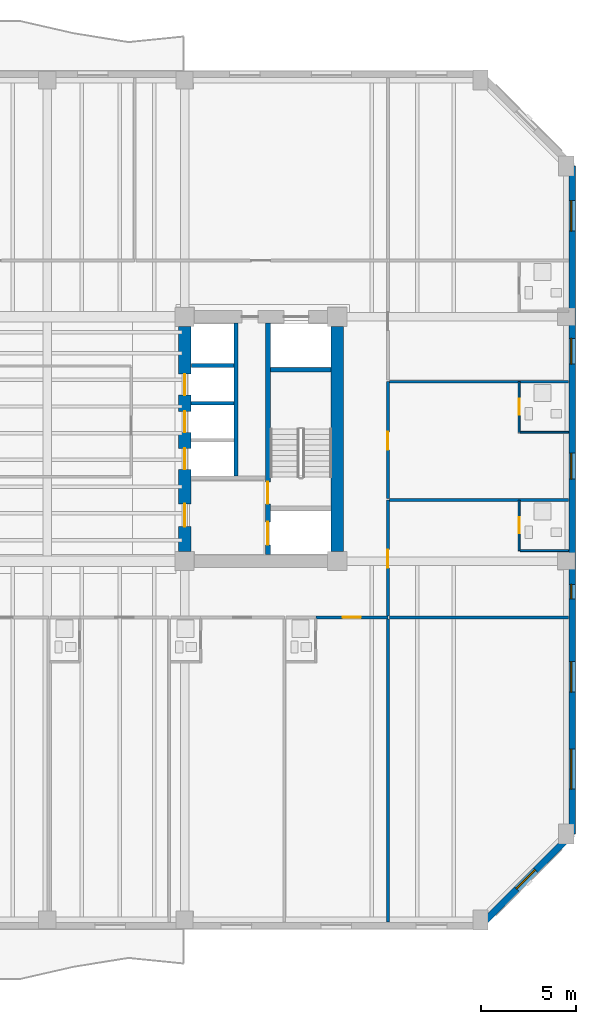
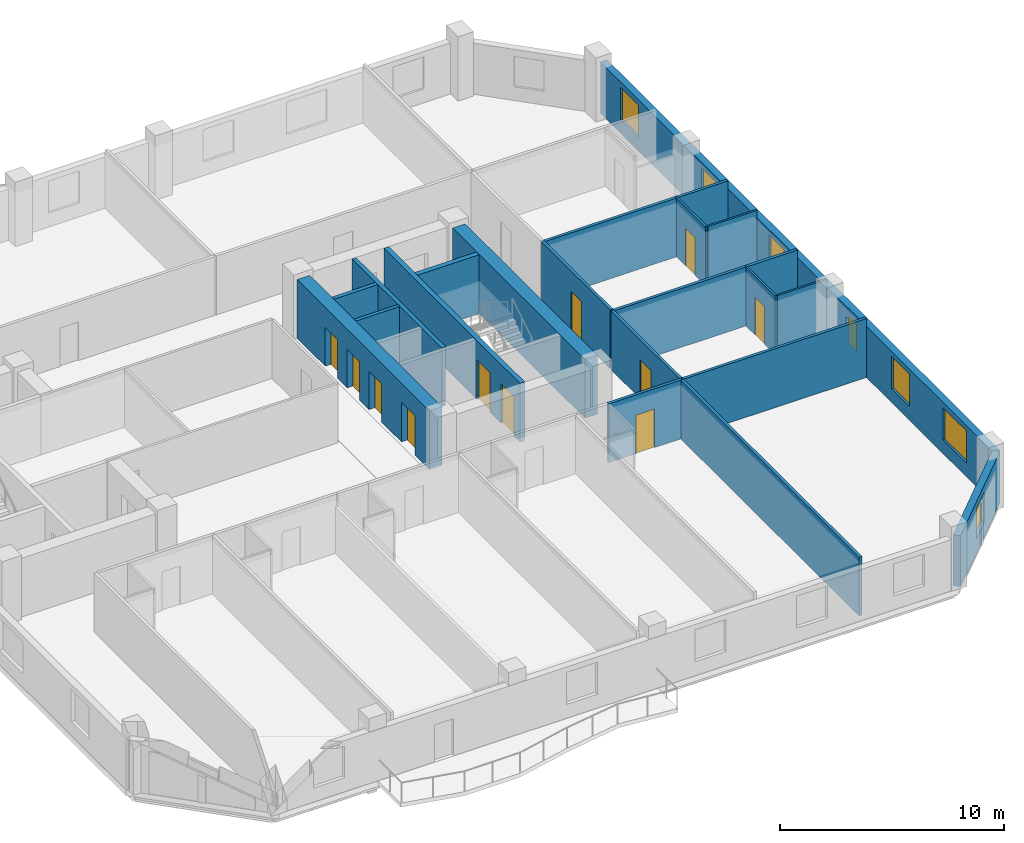
# One storey, part 4 of 10: 20 walls, 11 doors, 7 windows, 18 openings.
"""IFC4 building model written with IfcOpenShell, lengths in metres."""

from ifc_helpers import new_model, si_unit, direction, frame, frame_2d, origin, place, context, subcontext, project, spatial, rectangle, extrude, material, layer, layer_set, type_object, element, fill, save


model = new_model("IFC4")

# Units and contexts
model_context = context("Model", 3, precision=1e-05, world=origin(), true_north=direction((0.0, 1.0)))
body_context = subcontext(model_context, "Body", "Model", "MODEL_VIEW")
ifc_project = project(units=[si_unit("LENGTHUNIT", "METRE"), si_unit("AREAUNIT", "SQUARE_METRE"), si_unit("VOLUMEUNIT", "CUBIC_METRE"), si_unit("PLANEANGLEUNIT", "RADIAN"), si_unit("MASSUNIT", "GRAM", prefix="KILO")], contexts=[model_context])

# Site, building, storey
site_placement = place(None, origin())
site = spatial("IfcSite", under=ifc_project, at=site_placement, CompositionType="ELEMENT")
building_placement = place(site_placement, origin())
building = spatial("IfcBuilding", under=site, at=building_placement, Name="Kranthara Brick Stack", CompositionType="ELEMENT")
storey_placement = place(building_placement, frame((0.0, 0.0, 155.300048828125)))
storey = spatial("IfcBuildingStorey", under=building, at=storey_placement, Name="L39", CompositionType="ELEMENT", Elevation=155.300048828125)

# Wall, openings, windows
ifc_material_1 = material(Name="Kiln-fired clay brick masonry M15", Category="masonry")
ifc_layer_1 = layer(ifc_material_1, 0.35009765625)
ifc_layer_set_1 = layer_set([ifc_layer_1], Name="Kiln-fired clay brick masonry M15")
wall_type_1 = type_object("IfcWallType", Name="WL-BRK-SPND-350", PredefinedType="STANDARD", material=ifc_layer_set_1)
wall_1_placement = place(storey_placement, frame((55.5048828125, 41.5, 0.0), z_axis=(0.0, 0.0, 1.0), x_axis=(0.0, -1.0, 0.0)))
wall_1 = element("IfcWall", 1, at=wall_1_placement, inside=storey, type_object=wall_type_1, Name="L39 Exterior Brick Facade Wall EAST 1", PredefinedType="STANDARD", context=body_context, shape_type="SweptSolid", body=[
    extrude(rectangle(XDim=35.0, YDim=0.35009765625, at=frame_2d((17.5, 0.0))), origin(), (0.0, 0.0, 1.0), 2.784912109375),
])
opening_1_placement = place(wall_1_placement, frame((1.81298828125, 0.0, 0.75)))
opening_1 = element("IfcOpeningElement", 2, at=opening_1_placement, cuts=wall_1, Name="Opening WN04", PredefinedType="OPENING", context=body_context, shape_type="SweptSolid", body=[
    extrude(rectangle(XDim=1.60009765625, YDim=1.75, at=frame_2d((0.800048828125, 0.875))), frame((0.0, 0.18505859375, 0.0), z_axis=(0.0, -1.0, 0.0), x_axis=(1.0, 0.0, 0.0)), (0.0, 0.0, 1.0), 0.3701171875),
])
opening_2_placement = place(wall_1_placement, frame((9.02490234375, 0.0, 0.75)))
opening_2 = element("IfcOpeningElement", 3, at=opening_2_placement, cuts=wall_1, Name="Opening WN06", PredefinedType="OPENING", context=body_context, shape_type="SweptSolid", body=[
    extrude(rectangle(XDim=1.35009765625, YDim=1.75, at=frame_2d((0.675048828125, 0.875))), frame((0.0, 0.18505859375, 0.0), z_axis=(0.0, -1.0, 0.0), x_axis=(1.0, 0.0, 0.0)), (0.0, 0.0, 1.0), 0.3701171875),
])
opening_3_placement = place(wall_1_placement, frame((15.050048828125, 0.0, 0.75)))
opening_3 = element("IfcOpeningElement", 4, at=opening_3_placement, cuts=wall_1, Name="Opening WN06", PredefinedType="OPENING", context=body_context, shape_type="SweptSolid", body=[
    extrude(rectangle(XDim=1.35009765625, YDim=1.75, at=frame_2d((0.675048828125, 0.875))), frame((0.0, 0.18505859375, 0.0), z_axis=(0.0, -1.0, 0.0), x_axis=(1.0, 0.0, 0.0)), (0.0, 0.0, 1.0), 0.3701171875),
])
opening_4_placement = place(wall_1_placement, frame((25.969970703125, 0.0, 0.75)))
opening_4 = element("IfcOpeningElement", 5, at=opening_4_placement, cuts=wall_1, Name="Opening WN04", PredefinedType="OPENING", context=body_context, shape_type="SweptSolid", body=[
    extrude(rectangle(XDim=1.60009765625, YDim=1.75, at=frame_2d((0.800048828125, 0.875))), frame((0.0, 0.18505859375, 0.0), z_axis=(0.0, -1.0, 0.0), x_axis=(1.0, 0.0, 0.0)), (0.0, 0.0, 1.0), 0.3701171875),
])
opening_5_placement = place(wall_1_placement, frame((30.554931640625, 0.0, 0.75)))
opening_5 = element("IfcOpeningElement", 6, at=opening_5_placement, cuts=wall_1, Name="Opening WN05", PredefinedType="OPENING", context=body_context, shape_type="SweptSolid", body=[
    extrude(rectangle(XDim=2.10009765625, YDim=1.75, at=frame_2d((1.050048828125, 0.875))), frame((0.0, 0.18505859375, 0.0), z_axis=(0.0, -1.0, 0.0), x_axis=(1.0, 0.0, 0.0)), (0.0, 0.0, 1.0), 0.3701171875),
])
opening_6_placement = place(wall_1_placement, frame((21.925048828125, 0.0, 0.75)))
opening_6 = element("IfcOpeningElement", 7, at=opening_6_placement, cuts=wall_1, Name="Opening WN13", PredefinedType="OPENING", context=body_context, shape_type="SweptSolid", body=[
    extrude(rectangle(XDim=0.75, YDim=1.449951171875, at=frame_2d((0.375, 0.72509765625))), frame((0.0, 0.18505859375, 0.0), z_axis=(0.0, -1.0, 0.0), x_axis=(1.0, 0.0, 0.0)), (0.0, 0.0, 1.0), 0.3701171875),
])
ifc_material_2 = material(Name="Double-glazed low-E solar control glass", Category="glass")
window_type_1 = type_object("IfcWindowType", Name="WN-CAS-750x1450", PartitioningType="SINGLE_PANEL", PredefinedType="WINDOW", material=ifc_material_2)
window_1_placement = place(opening_6_placement, origin())
window_1 = element("IfcWindow", 8, at=window_1_placement, inside=storey, type_object=window_type_1, Name="L39 East Deep-Set Casement Window 06", OverallHeight=1.449951171875, OverallWidth=0.75, PartitioningType="SINGLE_PANEL", PredefinedType="WINDOW", context=body_context, shape_type="SweptSolid", body=[
    extrude(rectangle(XDim=0.75, YDim=1.449951171875, at=frame_2d((0.375, 0.72509765625))), frame((0.0, -0.010009765625, 0.0), z_axis=(0.0, -1.0, 0.0), x_axis=(1.0, 0.0, 0.0)), (0.0, 0.0, 1.0), 0.06005859375),
])
fill(opening_6, window_1)
ifc_material_3 = material(Name="Double-glazed low-E solar control glass", Category="glass")
window_type_2 = type_object("IfcWindowType", Name="WN-HTL-1350x1850", PartitioningType="SINGLE_PANEL", PredefinedType="WINDOW", material=ifc_material_3)
window_2_placement = place(opening_2_placement, origin())
window_2 = element("IfcWindow", 9, at=window_2_placement, inside=storey, type_object=window_type_2, Name="L39 East Deep-Set Brick Window 02", OverallHeight=1.75, OverallWidth=1.35009765625, PartitioningType="SINGLE_PANEL", PredefinedType="WINDOW", context=body_context, shape_type="SweptSolid", body=[
    extrude(rectangle(XDim=1.35009765625, YDim=1.75, at=frame_2d((0.675048828125, 0.875))), frame((0.0, -0.010009765625, 0.0), z_axis=(0.0, -1.0, 0.0), x_axis=(1.0, 0.0, 0.0)), (0.0, 0.0, 1.0), 0.06005859375),
])
fill(opening_2, window_2)
window_3_placement = place(opening_3_placement, origin())
window_3 = element("IfcWindow", 10, at=window_3_placement, inside=storey, type_object=window_type_2, Name="L39 East Deep-Set Brick Window 03", OverallHeight=1.75, OverallWidth=1.35009765625, PartitioningType="SINGLE_PANEL", PredefinedType="WINDOW", context=body_context, shape_type="SweptSolid", body=[
    extrude(rectangle(XDim=1.35009765625, YDim=1.75, at=frame_2d((0.675048828125, 0.875))), frame((0.0, -0.010009765625, 0.0), z_axis=(0.0, -1.0, 0.0), x_axis=(1.0, 0.0, 0.0)), (0.0, 0.0, 1.0), 0.06005859375),
])
fill(opening_3, window_3)
ifc_material_4 = material(Name="Double-glazed low-E solar control glass", Category="glass")
window_type_3 = type_object("IfcWindowType", Name="WN-HTL-1600x1850", PartitioningType="DOUBLE_PANEL_VERTICAL", PredefinedType="WINDOW", material=ifc_material_4)
window_4_placement = place(opening_1_placement, origin())
window_4 = element("IfcWindow", 11, at=window_4_placement, inside=storey, type_object=window_type_3, Name="L39 East Deep-Set Brick Window 01", OverallHeight=1.75, OverallWidth=1.60009765625, PartitioningType="SINGLE_PANEL", PredefinedType="WINDOW", context=body_context, shape_type="SweptSolid", body=[
    extrude(rectangle(XDim=1.60009765625, YDim=1.75, at=frame_2d((0.800048828125, 0.875))), frame((0.0, -0.010009765625, 0.0), z_axis=(0.0, -1.0, 0.0), x_axis=(1.0, 0.0, 0.0)), (0.0, 0.0, 1.0), 0.06005859375),
])
fill(opening_1, window_4)
window_5_placement = place(opening_4_placement, origin())
window_5 = element("IfcWindow", 12, at=window_5_placement, inside=storey, type_object=window_type_3, Name="L39 East Deep-Set Brick Window 04", OverallHeight=1.75, OverallWidth=1.60009765625, PartitioningType="SINGLE_PANEL", PredefinedType="WINDOW", context=body_context, shape_type="SweptSolid", body=[
    extrude(rectangle(XDim=1.60009765625, YDim=1.75, at=frame_2d((0.800048828125, 0.875))), frame((0.0, -0.010009765625, 0.0), z_axis=(0.0, -1.0, 0.0), x_axis=(1.0, 0.0, 0.0)), (0.0, 0.0, 1.0), 0.06005859375),
])
fill(opening_4, window_5)
ifc_material_5 = material(Name="Double-glazed low-E solar control glass", Category="glass")
window_type_4 = type_object("IfcWindowType", Name="WN-HTL-2100x1850", PartitioningType="DOUBLE_PANEL_VERTICAL", PredefinedType="WINDOW", material=ifc_material_5)
window_6_placement = place(opening_5_placement, origin())
window_6 = element("IfcWindow", 13, at=window_6_placement, inside=storey, type_object=window_type_4, Name="L39 East Deep-Set Brick Window 05", OverallHeight=1.75, OverallWidth=2.10009765625, PartitioningType="SINGLE_PANEL", PredefinedType="WINDOW", context=body_context, shape_type="SweptSolid", body=[
    extrude(rectangle(XDim=2.10009765625, YDim=1.75, at=frame_2d((1.050048828125, 0.875))), frame((0.0, -0.010009765625, 0.0), z_axis=(0.0, -1.0, 0.0), x_axis=(1.0, 0.0, 0.0)), (0.0, 0.0, 1.0), 0.06005859375),
])
fill(opening_5, window_6)

# Wall, opening, window
wall_2_placement = place(storey_placement, frame((55.5048828125, 6.5, 0.0), z_axis=(0.0, 0.0, 1.0), x_axis=(-0.707106781187, -0.707106781187, 0.0)))
wall_2 = element("IfcWall", 14, at=wall_2_placement, inside=storey, type_object=wall_type_1, Name="L39 Exterior Brick Facade Wall SE 1", PredefinedType="STANDARD", context=body_context, shape_type="SweptSolid", body=[
    extrude(rectangle(XDim=6.795166015625, YDim=0.35009765625, at=frame_2d((3.3974609375, 0.0))), origin(), (0.0, 0.0, 1.0), 2.784912109375),
])
opening_7_placement = place(wall_2_placement, frame((2.697998046875, 0.0, 0.75)))
opening_7 = element("IfcOpeningElement", 15, at=opening_7_placement, cuts=wall_2, Name="Opening WN10", PredefinedType="OPENING", context=body_context, shape_type="SweptSolid", body=[
    extrude(rectangle(XDim=1.39990234375, YDim=1.64990234375, at=frame_2d((0.699951171875, 0.824951171875))), frame((0.0, 0.18505859375, 0.0), z_axis=(0.0, -1.0, 0.0), x_axis=(1.0, 0.0, 0.0)), (0.0, 0.0, 1.0), 0.3701171875),
])
ifc_material_6 = material(Name="Double-glazed low-E solar control glass", Category="glass")
window_type_5 = type_object("IfcWindowType", Name="WN-CHM-1400x1750", PartitioningType="SINGLE_PANEL", PredefinedType="WINDOW", material=ifc_material_6)
window_7_placement = place(opening_7_placement, origin())
window_7 = element("IfcWindow", 16, at=window_7_placement, inside=storey, type_object=window_type_5, Name="L39 SE Chamfer Corner Window", OverallHeight=1.64990234375, OverallWidth=1.39990234375, PartitioningType="SINGLE_PANEL", PredefinedType="WINDOW", context=body_context, shape_type="SweptSolid", body=[
    extrude(rectangle(XDim=1.39990234375, YDim=1.64990234375, at=frame_2d((0.699951171875, 0.824951171875))), frame((0.0, -0.010009765625, 0.0), z_axis=(0.0, -1.0, 0.0), x_axis=(1.0, 0.0, 0.0)), (0.0, 0.0, 1.0), 0.06005859375),
])
fill(opening_7, window_7)

# Wall, openings, doors
ifc_material_7 = material(Name="Concrete C50/60", Category="concrete")
ifc_layer_2 = layer(ifc_material_7, 0.25)
ifc_layer_set_2 = layer_set([ifc_layer_2], Name="Concrete C50/60")
wall_type_2 = type_object("IfcWallType", Name="WL-CORE-250", PredefinedType="SHEAR", material=ifc_layer_set_2)
wall_3_placement = place(storey_placement, frame((39.56494140625, 21.135009765625, 0.0), z_axis=(0.0, 0.0, 1.0), x_axis=(0.0, 1.0, 0.0)))
wall_3 = element("IfcWall", 17, at=wall_3_placement, inside=storey, type_object=wall_type_2, Name="L39 East Core Stair Bearing Spine Wall", PredefinedType="SHEAR", context=body_context, shape_type="SweptSolid", body=[
    extrude(rectangle(XDim=12.1298828125, YDim=0.25, at=frame_2d((6.06494140625, 0.0))), origin(), (0.0, 0.0, 1.0), 3.199951171875),
])
opening_8_placement = place(wall_3_placement, frame((0.514892578125, 0.0, 0.0)))
opening_8 = element("IfcOpeningElement", 18, at=opening_8_placement, cuts=wall_3, Name="Opening LD01", PredefinedType="OPENING", context=body_context, shape_type="SweptSolid", body=[
    extrude(rectangle(XDim=1.199951171875, YDim=2.14990234375, at=frame_2d((0.60009765625, 1.074951171875))), frame((0.0, 0.135009765625, 0.0), z_axis=(0.0, -1.0, 0.0), x_axis=(1.0, 0.0, 0.0)), (0.0, 0.0, 1.0), 0.27001953125),
])
opening_9_placement = place(wall_3_placement, frame((2.6650390625, 0.0, 0.0)))
opening_9 = element("IfcOpeningElement", 19, at=opening_9_placement, cuts=wall_3, Name="Opening D05", PredefinedType="OPENING", context=body_context, shape_type="SweptSolid", body=[
    extrude(rectangle(XDim=1.14990234375, YDim=2.14990234375, at=frame_2d((0.574951171875, 1.074951171875))), frame((0.0, 0.135009765625, 0.0), z_axis=(0.0, -1.0, 0.0), x_axis=(1.0, 0.0, 0.0)), (0.0, 0.0, 1.0), 0.27001953125),
])
ifc_material_8 = material(Name="Stainless steel sliding landing door", Category="steel")
door_type_1 = type_object("IfcDoorType", Name="DR-LD-FF1200", OperationType="DOUBLE_DOOR_SLIDING", PredefinedType="DOOR", material=ifc_material_8)
door_1_placement = place(opening_8_placement, origin())
door_1 = element("IfcDoor", 20, at=door_1_placement, inside=storey, type_object=door_type_1, Name="L39 Firefighting Lift FF-02 Landing Door", OperationType="DOUBLE_DOOR_SLIDING", OverallHeight=2.14990234375, OverallWidth=1.199951171875, PredefinedType="DOOR", context=body_context, shape_type="SweptSolid", body=[
    extrude(rectangle(XDim=1.199951171875, YDim=2.14990234375, at=frame_2d((0.60009765625, 1.074951171875))), frame((0.0, 0.02490234375, 0.0), z_axis=(0.0, -1.0, 0.0), x_axis=(1.0, 0.0, 0.0)), (0.0, 0.0, 1.0), 0.050048828125),
])
fill(opening_8, door_1)
ifc_material_9 = material(Name="Solid-core hardwood timber leaf in steel frame", Category="steel")
door_type_2 = type_object("IfcDoorType", Name="DR-ST-1150", OperationType="NOTDEFINED", PredefinedType="DOOR", material=ifc_material_9)
door_2_placement = place(opening_9_placement, origin())
door_2 = element("IfcDoor", 21, at=door_2_placement, inside=storey, type_object=door_type_2, Name="L39 Exit Stair ST02 Door", OperationType="SINGLE_SWING_LEFT", OverallHeight=2.14990234375, OverallWidth=1.14990234375, PredefinedType="DOOR", context=body_context, shape_type="SweptSolid", body=[
    extrude(rectangle(XDim=1.14990234375, YDim=2.14990234375, at=frame_2d((0.574951171875, 1.074951171875))), frame((0.0, 0.02490234375, 0.0), z_axis=(0.0, -1.0, 0.0), x_axis=(1.0, 0.0, 0.0)), (0.0, 0.0, 1.0), 0.050048828125),
])
fill(opening_9, door_2)

# Walls
wall_4_placement = place(storey_placement, frame((39.68994140625, 30.830078125, 0.0), z_axis=(0.0, 0.0, 1.0), x_axis=(1.0, 0.0, 0.0)))
element("IfcWall", 22, at=wall_4_placement, inside=storey, type_object=wall_type_2, Name="L39 East Stairwell Bearing Wall EST", PredefinedType="SHEAR", context=body_context, shape_type="SweptSolid", body=[
    extrude(rectangle(XDim=3.175048828125, YDim=0.25, at=frame_2d((1.58740234375, 0.0))), origin(), (0.0, 0.0, 1.0), 3.199951171875),
])
ifc_material_10 = material(Name="Concrete C60/75", Category="concrete")
ifc_layer_3 = layer(ifc_material_10, 0.64990234375)
ifc_layer_set_3 = layer_set([ifc_layer_3], Name="Concrete C60/75")
wall_type_3 = type_object("IfcWallType", Name="WL-CORE-650", PredefinedType="SHEAR", material=ifc_layer_set_3)
wall_5_placement = place(storey_placement, frame((43.199951171875, 21.304931640625, 0.0), z_axis=(0.0, 0.0, 1.0), x_axis=(0.0, 1.0, 0.0)))
element("IfcWall", 23, at=wall_5_placement, inside=storey, type_object=wall_type_3, Name="L39 East Core Shear Wall East", PredefinedType="SHEAR", context=body_context, shape_type="SweptSolid", body=[
    extrude(rectangle(XDim=11.7900390625, YDim=0.64990234375, at=frame_2d((5.89501953125, 0.0))), origin(), (0.0, 0.0, 1.0), 3.199951171875),
])

# Wall, openings, doors
wall_6_placement = place(storey_placement, frame((35.199951171875, 21.304931640625, 0.0), z_axis=(0.0, 0.0, 1.0), x_axis=(0.0, 1.0, 0.0)))
wall_6 = element("IfcWall", 24, at=wall_6_placement, inside=storey, type_object=wall_type_3, Name="L39 East Core Shear Wall West", PredefinedType="SHEAR", context=body_context, shape_type="SweptSolid", body=[
    extrude(rectangle(XDim=11.7900390625, YDim=0.64990234375, at=frame_2d((5.89501953125, 0.0))), origin(), (0.0, 0.0, 1.0), 3.199951171875),
])
opening_10_placement = place(wall_6_placement, frame((1.294921875, 0.0, 0.0)))
opening_10 = element("IfcOpeningElement", 25, at=opening_10_placement, cuts=wall_6, Name="Opening D06", PredefinedType="OPENING", context=body_context, shape_type="SweptSolid", body=[
    extrude(rectangle(XDim=1.199951171875, YDim=2.14990234375, at=frame_2d((0.60009765625, 1.074951171875))), frame((0.0, 0.3349609375, 0.0), z_axis=(0.0, -1.0, 0.0), x_axis=(1.0, 0.0, 0.0)), (0.0, 0.0, 1.0), 0.669921875),
])
opening_11_placement = place(wall_6_placement, frame((4.294921875, 0.0, 0.0)))
opening_11 = element("IfcOpeningElement", 26, at=opening_11_placement, cuts=wall_6, Name="Opening LD02", PredefinedType="OPENING", context=body_context, shape_type="SweptSolid", body=[
    extrude(rectangle(XDim=1.10009765625, YDim=2.10009765625, at=frame_2d((0.550048828125, 1.050048828125))), frame((0.0, 0.3349609375, 0.0), z_axis=(0.0, -1.0, 0.0), x_axis=(1.0, 0.0, 0.0)), (0.0, 0.0, 1.0), 0.669921875),
])
opening_12_placement = place(wall_6_placement, frame((6.2451171875, 0.0, 0.0)))
opening_12 = element("IfcOpeningElement", 27, at=opening_12_placement, cuts=wall_6, Name="Opening LD02", PredefinedType="OPENING", context=body_context, shape_type="SweptSolid", body=[
    extrude(rectangle(XDim=1.10009765625, YDim=2.10009765625, at=frame_2d((0.550048828125, 1.050048828125))), frame((0.0, 0.3349609375, 0.0), z_axis=(0.0, -1.0, 0.0), x_axis=(1.0, 0.0, 0.0)), (0.0, 0.0, 1.0), 0.669921875),
])
opening_13_placement = place(wall_6_placement, frame((8.195068359375, 0.0, 0.0)))
opening_13 = element("IfcOpeningElement", 28, at=opening_13_placement, cuts=wall_6, Name="Opening LD02", PredefinedType="OPENING", context=body_context, shape_type="SweptSolid", body=[
    extrude(rectangle(XDim=1.10009765625, YDim=2.10009765625, at=frame_2d((0.550048828125, 1.050048828125))), frame((0.0, 0.3349609375, 0.0), z_axis=(0.0, -1.0, 0.0), x_axis=(1.0, 0.0, 0.0)), (0.0, 0.0, 1.0), 0.669921875),
])
ifc_material_11 = material(Name="Solid-core hardwood timber leaf in steel frame", Category="steel")
door_type_3 = type_object("IfcDoorType", Name="DR-FFL-1200", OperationType="NOTDEFINED", PredefinedType="DOOR", material=ifc_material_11)
door_3_placement = place(opening_10_placement, origin())
door_3 = element("IfcDoor", 29, at=door_3_placement, inside=storey, type_object=door_type_3, Name="L39 East Firefighting Lobby Door", OperationType="SINGLE_SWING_RIGHT", OverallHeight=2.14990234375, OverallWidth=1.199951171875, PredefinedType="DOOR", context=body_context, shape_type="SweptSolid", body=[
    extrude(rectangle(XDim=1.199951171875, YDim=2.14990234375, at=frame_2d((0.60009765625, 1.074951171875))), frame((0.0, 0.02490234375, 0.0), z_axis=(0.0, -1.0, 0.0), x_axis=(1.0, 0.0, 0.0)), (0.0, 0.0, 1.0), 0.050048828125),
])
fill(opening_10, door_3)
ifc_material_12 = material(Name="Stainless steel sliding landing door", Category="steel")
door_type_4 = type_object("IfcDoorType", Name="DR-LD-PL1100", OperationType="DOUBLE_DOOR_SLIDING", PredefinedType="DOOR", material=ifc_material_12)
door_4_placement = place(opening_11_placement, origin())
door_4 = element("IfcDoor", 30, at=door_4_placement, inside=storey, type_object=door_type_4, Name="L39 PL-04 Lift Landing Door", OperationType="DOUBLE_DOOR_SLIDING", OverallHeight=2.10009765625, OverallWidth=1.10009765625, PredefinedType="DOOR", context=body_context, shape_type="SweptSolid", body=[
    extrude(rectangle(XDim=1.10009765625, YDim=2.10009765625, at=frame_2d((0.550048828125, 1.050048828125))), frame((0.0, 0.02490234375, 0.0), z_axis=(0.0, -1.0, 0.0), x_axis=(1.0, 0.0, 0.0)), (0.0, 0.0, 1.0), 0.050048828125),
])
fill(opening_11, door_4)
door_5_placement = place(opening_12_placement, origin())
door_5 = element("IfcDoor", 31, at=door_5_placement, inside=storey, type_object=door_type_4, Name="L39 PL-05 Lift Landing Door", OperationType="DOUBLE_DOOR_SLIDING", OverallHeight=2.10009765625, OverallWidth=1.10009765625, PredefinedType="DOOR", context=body_context, shape_type="SweptSolid", body=[
    extrude(rectangle(XDim=1.10009765625, YDim=2.10009765625, at=frame_2d((0.550048828125, 1.050048828125))), frame((0.0, 0.02490234375, 0.0), z_axis=(0.0, -1.0, 0.0), x_axis=(1.0, 0.0, 0.0)), (0.0, 0.0, 1.0), 0.050048828125),
])
fill(opening_12, door_5)
door_6_placement = place(opening_13_placement, origin())
door_6 = element("IfcDoor", 32, at=door_6_placement, inside=storey, type_object=door_type_4, Name="L39 PL-06 Lift Landing Door", OperationType="DOUBLE_DOOR_SLIDING", OverallHeight=2.10009765625, OverallWidth=1.10009765625, PredefinedType="DOOR", context=body_context, shape_type="SweptSolid", body=[
    extrude(rectangle(XDim=1.10009765625, YDim=2.10009765625, at=frame_2d((0.550048828125, 1.050048828125))), frame((0.0, 0.02490234375, 0.0), z_axis=(0.0, -1.0, 0.0), x_axis=(1.0, 0.0, 0.0)), (0.0, 0.0, 1.0), 0.050048828125),
])
fill(opening_13, door_6)

# Wall, opening, door
ifc_material_13 = material(Name="Moisture-resistant wet-room partition", Category="other")
ifc_layer_4 = layer(ifc_material_13, 0.10009765625)
ifc_layer_set_4 = layer_set([ifc_layer_4], Name="Moisture-resistant wet-room partition")
wall_type_4 = type_object("IfcWallType", Name="WL-PART-100", PredefinedType="PARTITIONING", material=ifc_layer_set_4)
wall_7_placement = place(storey_placement, frame((52.72998046875, 21.35009765625, 0.0), z_axis=(0.0, 0.0, 1.0), x_axis=(0.0, 1.0, 0.0)))
wall_7 = element("IfcWall", 33, at=wall_7_placement, inside=storey, type_object=wall_type_4, Name="L39 Interior Partition 042", PredefinedType="PARTITIONING", context=body_context, shape_type="SweptSolid", body=[
    extrude(rectangle(XDim=2.64990234375, YDim=0.10009765625, at=frame_2d((1.324951171875, 0.0))), origin(), (0.0, 0.0, 1.0), 3.199951171875),
])
opening_14_placement = place(wall_7_placement, frame((0.905029296875, 0.0, 0.0)))
opening_14 = element("IfcOpeningElement", 34, at=opening_14_placement, cuts=wall_7, Name="Opening D17", PredefinedType="OPENING", context=body_context, shape_type="SweptSolid", body=[
    extrude(rectangle(XDim=0.85009765625, YDim=2.050048828125, at=frame_2d((0.425048828125, 1.02490234375))), frame((0.0, 0.06005859375, 0.0), z_axis=(0.0, -1.0, 0.0), x_axis=(1.0, 0.0, 0.0)), (0.0, 0.0, 1.0), 0.1201171875),
])
ifc_material_14 = material(Name="Solid-core hardwood timber leaf in steel frame", Category="steel")
door_type_5 = type_object("IfcDoorType", Name="DR-WET-850", OperationType="NOTDEFINED", PredefinedType="DOOR", material=ifc_material_14)
door_7_placement = place(opening_14_placement, origin())
door_7 = element("IfcDoor", 35, at=door_7_placement, inside=storey, type_object=door_type_5, Name="L39 East Key 8 Bath 16", OperationType="SINGLE_SWING_RIGHT", OverallHeight=2.050048828125, OverallWidth=0.85009765625, PredefinedType="DOOR", context=body_context, shape_type="SweptSolid", body=[
    extrude(rectangle(XDim=0.85009765625, YDim=2.050048828125, at=frame_2d((0.425048828125, 1.02490234375))), frame((0.0, 0.02490234375, 0.0), z_axis=(0.0, -1.0, 0.0), x_axis=(1.0, 0.0, 0.0)), (0.0, 0.0, 1.0), 0.050048828125),
])
fill(opening_14, door_7)

# Wall
wall_8_placement = place(storey_placement, frame((52.784912109375, 21.35009765625, 0.0), z_axis=(0.0, 0.0, 1.0), x_axis=(1.0, 0.0, 0.0)))
element("IfcWall", 36, at=wall_8_placement, inside=storey, type_object=wall_type_4, Name="L39 Interior Partition 043", PredefinedType="PARTITIONING", context=body_context, shape_type="SweptSolid", body=[
    extrude(rectangle(XDim=2.5400390625, YDim=0.10009765625, at=frame_2d((1.27001953125, 0.0))), origin(), (0.0, 0.0, 1.0), 3.199951171875),
])

# Wall, opening, door
wall_9_placement = place(storey_placement, frame((52.72998046875, 27.550048828125, 0.0), z_axis=(0.0, 0.0, 1.0), x_axis=(0.0, 1.0, 0.0)))
wall_9 = element("IfcWall", 37, at=wall_9_placement, inside=storey, type_object=wall_type_4, Name="L39 Interior Partition 046", PredefinedType="PARTITIONING", context=body_context, shape_type="SweptSolid", body=[
    extrude(rectangle(XDim=2.64990234375, YDim=0.10009765625, at=frame_2d((1.324951171875, 0.0))), origin(), (0.0, 0.0, 1.0), 3.199951171875),
])
opening_15_placement = place(wall_9_placement, frame((0.905029296875, 0.0, 0.0)))
opening_15 = element("IfcOpeningElement", 38, at=opening_15_placement, cuts=wall_9, Name="Opening D17", PredefinedType="OPENING", context=body_context, shape_type="SweptSolid", body=[
    extrude(rectangle(XDim=0.85009765625, YDim=2.050048828125, at=frame_2d((0.425048828125, 1.02490234375))), frame((0.0, 0.06005859375, 0.0), z_axis=(0.0, -1.0, 0.0), x_axis=(1.0, 0.0, 0.0)), (0.0, 0.0, 1.0), 0.1201171875),
])
door_8_placement = place(opening_15_placement, origin())
door_8 = element("IfcDoor", 39, at=door_8_placement, inside=storey, type_object=door_type_5, Name="L39 East Key 9 Bath 18", OperationType="SINGLE_SWING_RIGHT", OverallHeight=2.050048828125, OverallWidth=0.85009765625, PredefinedType="DOOR", context=body_context, shape_type="SweptSolid", body=[
    extrude(rectangle(XDim=0.85009765625, YDim=2.050048828125, at=frame_2d((0.425048828125, 1.02490234375))), frame((0.0, 0.02490234375, 0.0), z_axis=(0.0, -1.0, 0.0), x_axis=(1.0, 0.0, 0.0)), (0.0, 0.0, 1.0), 0.050048828125),
])
fill(opening_15, door_8)

# Wall
wall_10_placement = place(storey_placement, frame((52.784912109375, 27.550048828125, 0.0), z_axis=(0.0, 0.0, 1.0), x_axis=(1.0, 0.0, 0.0)))
element("IfcWall", 40, at=wall_10_placement, inside=storey, type_object=wall_type_4, Name="L39 Interior Partition 047", PredefinedType="PARTITIONING", context=body_context, shape_type="SweptSolid", body=[
    extrude(rectangle(XDim=2.5400390625, YDim=0.10009765625, at=frame_2d((1.27001953125, 0.0))), origin(), (0.0, 0.0, 1.0), 3.199951171875),
])

# Wall, opening, door
ifc_material_15 = material(Name="Fire-rated gypsum board partition", Category="other")
ifc_layer_5 = layer(ifc_material_15, 0.14990234375)
ifc_layer_set_5 = layer_set([ifc_layer_5], Name="Fire-rated gypsum board partition")
wall_type_5 = type_object("IfcWallType", Name="WL-PART-150", PredefinedType="PARTITIONING", material=ifc_layer_set_5)
wall_11_placement = place(storey_placement, frame((42.072998046875, 17.85009765625, 0.0), z_axis=(0.0, 0.0, 1.0), x_axis=(1.0, 0.0, 0.0)))
wall_11 = element("IfcWall", 41, at=wall_11_placement, inside=storey, type_object=wall_type_5, Name="L39 Interior Partition 027", PredefinedType="PARTITIONING", context=body_context, shape_type="SweptSolid", body=[
    extrude(rectangle(XDim=3.777099609375, YDim=0.14990234375, at=frame_2d((1.888671875, 0.0))), origin(), (0.0, 0.0, 1.0), 3.199951171875),
])
opening_16_placement = place(wall_11_placement, frame((1.408935546875, 0.0, 0.0)))
opening_16 = element("IfcOpeningElement", 42, at=opening_16_placement, cuts=wall_11, Name="Opening D09", PredefinedType="OPENING", context=body_context, shape_type="SweptSolid", body=[
    extrude(rectangle(XDim=0.949951171875, YDim=2.10009765625, at=frame_2d((0.47509765625, 1.050048828125))), frame((0.0, 0.0849609375, 0.0), z_axis=(0.0, -1.0, 0.0), x_axis=(1.0, 0.0, 0.0)), (0.0, 0.0, 1.0), 0.169921875),
])
ifc_material_16 = material(Name="Solid-core hardwood timber leaf in steel frame", Category="steel")
door_type_6 = type_object("IfcDoorType", Name="DR-FD-950", OperationType="NOTDEFINED", PredefinedType="DOOR", material=ifc_material_16)
door_9_placement = place(opening_16_placement, origin())
door_9 = element("IfcDoor", 43, at=door_9_placement, inside=storey, type_object=door_type_6, Name="L39 Key 05 Entry 12", OperationType="SINGLE_SWING_RIGHT", OverallHeight=2.10009765625, OverallWidth=0.949951171875, PredefinedType="DOOR", context=body_context, shape_type="SweptSolid", body=[
    extrude(rectangle(XDim=0.949951171875, YDim=2.10009765625, at=frame_2d((0.47509765625, 1.050048828125))), frame((0.0, 0.02490234375, 0.0), z_axis=(0.0, -1.0, 0.0), x_axis=(1.0, 0.0, 0.0)), (0.0, 0.0, 1.0), 0.050048828125),
])
fill(opening_16, door_9)

# Walls
wall_12_placement = place(storey_placement, frame((45.85009765625, 1.875, 0.0), z_axis=(0.0, 0.0, 1.0), x_axis=(0.0, 1.0, 0.0)))
element("IfcWall", 44, at=wall_12_placement, inside=storey, type_object=wall_type_5, Name="L39 Interior Partition 030", PredefinedType="PARTITIONING", context=body_context, shape_type="SweptSolid", body=[
    extrude(rectangle(XDim=15.89501953125, YDim=0.14990234375, at=frame_2d((7.947509765625, 0.0))), origin(), (0.0, 0.0, 1.0), 3.199951171875),
])
wall_13_placement = place(storey_placement, frame((45.929931640625, 17.85009765625, 0.0), z_axis=(0.0, 0.0, 1.0), x_axis=(1.0, 0.0, 0.0)))
element("IfcWall", 45, at=wall_13_placement, inside=storey, type_object=wall_type_5, Name="L39 Interior Partition 039", PredefinedType="PARTITIONING", context=body_context, shape_type="SweptSolid", body=[
    extrude(rectangle(XDim=9.39501953125, YDim=0.14990234375, at=frame_2d((4.697509765625, 0.0))), origin(), (0.0, 0.0, 1.0), 3.199951171875),
])

# Wall, opening, door
wall_14_placement = place(storey_placement, frame((45.85009765625, 17.929931640625, 0.0), z_axis=(0.0, 0.0, 1.0), x_axis=(0.0, 1.0, 0.0)))
wall_14 = element("IfcWall", 46, at=wall_14_placement, inside=storey, type_object=wall_type_5, Name="L39 Interior Partition 041", PredefinedType="PARTITIONING", context=body_context, shape_type="SweptSolid", body=[
    extrude(rectangle(XDim=6.070068359375, YDim=0.14990234375, at=frame_2d((3.03515625, 0.0))), origin(), (0.0, 0.0, 1.0), 3.199951171875),
])
opening_17_placement = place(wall_14_placement, frame((2.514892578125, 0.0, 0.0)))
opening_17 = element("IfcOpeningElement", 47, at=opening_17_placement, cuts=wall_14, Name="Opening D09", PredefinedType="OPENING", context=body_context, shape_type="SweptSolid", body=[
    extrude(rectangle(XDim=0.949951171875, YDim=2.10009765625, at=frame_2d((0.47509765625, 1.050048828125))), frame((0.0, 0.0849609375, 0.0), z_axis=(0.0, -1.0, 0.0), x_axis=(1.0, 0.0, 0.0)), (0.0, 0.0, 1.0), 0.169921875),
])
door_10_placement = place(opening_17_placement, origin())
door_10 = element("IfcDoor", 48, at=door_10_placement, inside=storey, type_object=door_type_6, Name="L39 East Key 8 17", OperationType="SINGLE_SWING_LEFT", OverallHeight=2.10009765625, OverallWidth=0.949951171875, PredefinedType="DOOR", context=body_context, shape_type="SweptSolid", body=[
    extrude(rectangle(XDim=0.949951171875, YDim=2.10009765625, at=frame_2d((0.47509765625, 1.050048828125))), frame((0.0, 0.02490234375, 0.0), z_axis=(0.0, -1.0, 0.0), x_axis=(1.0, 0.0, 0.0)), (0.0, 0.0, 1.0), 0.050048828125),
])
fill(opening_17, door_10)

# Wall
wall_15_placement = place(storey_placement, frame((45.929931640625, 24.0, 0.0), z_axis=(0.0, 0.0, 1.0), x_axis=(1.0, 0.0, 0.0)))
element("IfcWall", 49, at=wall_15_placement, inside=storey, type_object=wall_type_5, Name="L39 Interior Partition 044", PredefinedType="PARTITIONING", context=body_context, shape_type="SweptSolid", body=[
    extrude(rectangle(XDim=9.39501953125, YDim=0.14990234375, at=frame_2d((4.697509765625, 0.0))), origin(), (0.0, 0.0, 1.0), 3.199951171875),
])

# Wall, opening, door
wall_16_placement = place(storey_placement, frame((45.85009765625, 24.080078125, 0.0), z_axis=(0.0, 0.0, 1.0), x_axis=(0.0, 1.0, 0.0)))
wall_16 = element("IfcWall", 50, at=wall_16_placement, inside=storey, type_object=wall_type_5, Name="L39 Interior Partition 045", PredefinedType="PARTITIONING", context=body_context, shape_type="SweptSolid", body=[
    extrude(rectangle(XDim=6.119873046875, YDim=0.14990234375, at=frame_2d((3.06005859375, 0.0))), origin(), (0.0, 0.0, 1.0), 3.199951171875),
])
opening_18_placement = place(wall_16_placement, frame((2.5400390625, 0.0, 0.0)))
opening_18 = element("IfcOpeningElement", 51, at=opening_18_placement, cuts=wall_16, Name="Opening D09", PredefinedType="OPENING", context=body_context, shape_type="SweptSolid", body=[
    extrude(rectangle(XDim=0.949951171875, YDim=2.10009765625, at=frame_2d((0.47509765625, 1.050048828125))), frame((0.0, 0.0849609375, 0.0), z_axis=(0.0, -1.0, 0.0), x_axis=(1.0, 0.0, 0.0)), (0.0, 0.0, 1.0), 0.169921875),
])
door_11_placement = place(opening_18_placement, origin())
door_11 = element("IfcDoor", 52, at=door_11_placement, inside=storey, type_object=door_type_6, Name="L39 East Key 9 19", OperationType="SINGLE_SWING_LEFT", OverallHeight=2.10009765625, OverallWidth=0.949951171875, PredefinedType="DOOR", context=body_context, shape_type="SweptSolid", body=[
    extrude(rectangle(XDim=0.949951171875, YDim=2.10009765625, at=frame_2d((0.47509765625, 1.050048828125))), frame((0.0, 0.02490234375, 0.0), z_axis=(0.0, -1.0, 0.0), x_axis=(1.0, 0.0, 0.0)), (0.0, 0.0, 1.0), 0.050048828125),
])
fill(opening_18, door_11)

# Walls
wall_17_placement = place(storey_placement, frame((45.929931640625, 30.199951171875, 0.0), z_axis=(0.0, 0.0, 1.0), x_axis=(1.0, 0.0, 0.0)))
element("IfcWall", 53, at=wall_17_placement, inside=storey, type_object=wall_type_5, Name="L39 Interior Partition 048", PredefinedType="PARTITIONING", context=body_context, shape_type="SweptSolid", body=[
    extrude(rectangle(XDim=9.39501953125, YDim=0.14990234375, at=frame_2d((4.697509765625, 0.0))), origin(), (0.0, 0.0, 1.0), 3.199951171875),
])
ifc_material_17 = material(Name="Gypsum plasterboard on acoustic twin stud", Category="other")
ifc_layer_6 = layer(ifc_material_17, 0.179931640625)
ifc_layer_set_6 = layer_set([ifc_layer_6], Name="Gypsum plasterboard on acoustic twin stud")
wall_type_6 = type_object("IfcWallType", Name="WL-PART-180", PredefinedType="PARTITIONING", material=ifc_layer_set_6)
wall_18_placement = place(storey_placement, frame((35.534912109375, 29.080078125, 0.0), z_axis=(0.0, 0.0, 1.0), x_axis=(1.0, 0.0, 0.0)))
element("IfcWall", 54, at=wall_18_placement, inside=storey, type_object=wall_type_6, Name="L39 East Hoistway Wall EH2", PredefinedType="PARTITIONING", context=body_context, shape_type="SweptSolid", body=[
    extrude(rectangle(XDim=2.2451171875, YDim=0.179931640625, at=frame_2d((1.12255859375, 0.0))), origin(), (0.0, 0.0, 1.0), 3.199951171875),
])
ifc_material_18 = material(Name="Concrete C40/50", Category="concrete")
ifc_layer_7 = layer(ifc_material_18, 0.199951171875)
ifc_layer_set_7 = layer_set([ifc_layer_7], Name="Concrete C40/50")
wall_type_7 = type_object("IfcWallType", Name="WL-PART-200", PredefinedType="SOLIDWALL", material=ifc_layer_set_7)
wall_19_placement = place(storey_placement, frame((35.550048828125, 31.050048828125, 0.0), z_axis=(0.0, 0.0, 1.0), x_axis=(1.0, 0.0, 0.0)))
element("IfcWall", 55, at=wall_19_placement, inside=storey, type_object=wall_type_7, Name="L39 East Core Cross Wall EE4", PredefinedType="SOLIDWALL", context=body_context, shape_type="SweptSolid", body=[
    extrude(rectangle(XDim=2.25, YDim=0.199951171875, at=frame_2d((1.125, 0.0))), origin(), (0.0, 0.0, 1.0), 3.199951171875),
])
wall_20_placement = place(storey_placement, frame((37.89990234375, 25.27001953125, 0.0), z_axis=(0.0, 0.0, 1.0), x_axis=(0.0, 1.0, 0.0)))
element("IfcWall", 56, at=wall_20_placement, inside=storey, type_object=wall_type_7, Name="L39 East Core Cross Wall ESV", PredefinedType="SOLIDWALL", context=body_context, shape_type="SweptSolid", body=[
    extrude(rectangle(XDim=7.994873046875, YDim=0.199951171875, at=frame_2d((3.99755859375, 0.0))), origin(), (0.0, 0.0, 1.0), 3.199951171875),
])

save(model, "model.ifc")
